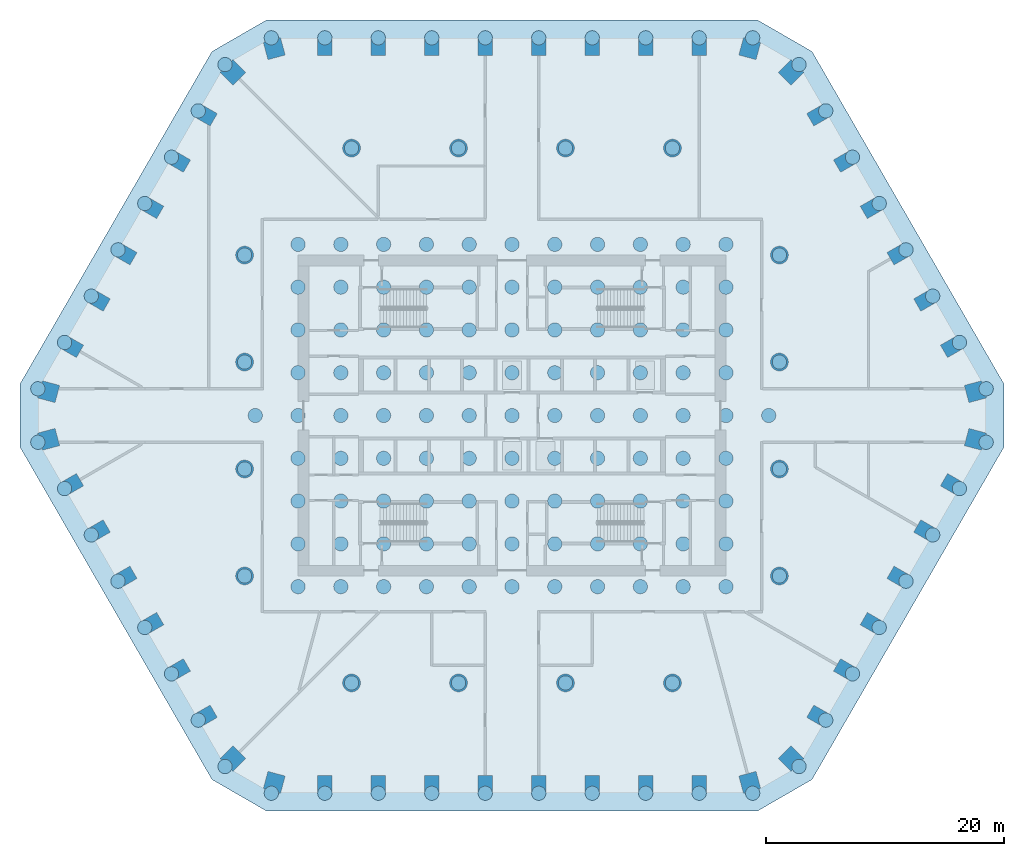
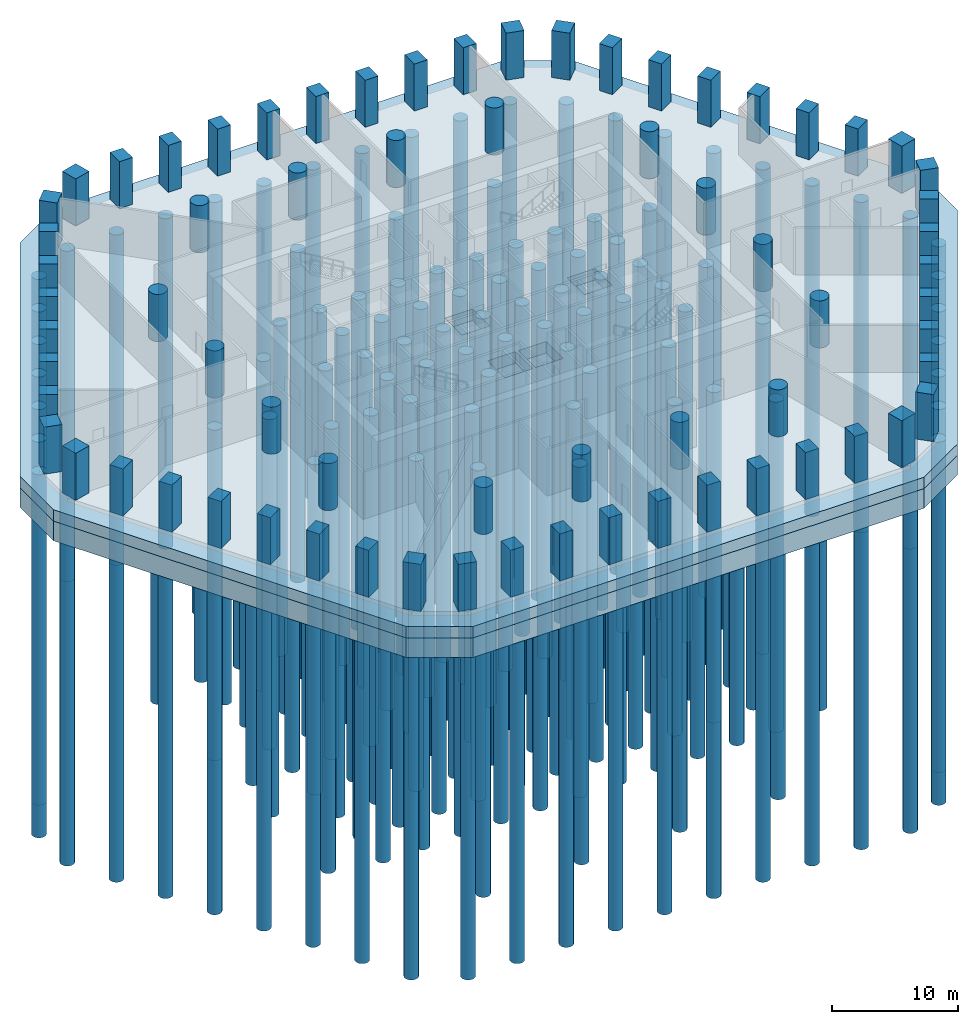
# One storey, part 1 of 9: 169 piles, 68 columns, 2 footings.
"""IFC4 building model written with IfcOpenShell, lengths in metres."""

from ifc_helpers import new_model, si_unit, direction, frame, origin, origin_2d, place, context, subcontext, project, spatial, polyline, rectangle, circle, outline, extrude, material, layer, layer_set, material_profile, profile_set, type_object, element, save


model = new_model("IFC4")

# Units and contexts
model_context = context("Model", 3, precision=1e-05, world=origin(), true_north=direction((0.0, 1.0)))
body_context = subcontext(model_context, "Body", "Model", "MODEL_VIEW")
ifc_project = project(units=[si_unit("LENGTHUNIT", "METRE"), si_unit("AREAUNIT", "SQUARE_METRE"), si_unit("VOLUMEUNIT", "CUBIC_METRE"), si_unit("PLANEANGLEUNIT", "RADIAN"), si_unit("MASSUNIT", "GRAM", prefix="KILO")], contexts=[model_context])

# Site, building, storey
site_placement = place(None, origin())
site = spatial("IfcSite", under=ifc_project, at=site_placement, CompositionType="ELEMENT")
building_placement = place(site_placement, origin())
building = spatial("IfcBuilding", under=site, at=building_placement, Name="Dhurran Vertical Campus", CompositionType="ELEMENT")
storey_placement = place(building_placement, frame((0.0, 0.0, -5.0)))
storey = spatial("IfcBuildingStorey", under=building, at=storey_placement, Name="B1", CompositionType="ELEMENT", Elevation=-5.0)

# Piles
ifc_material_1 = material(Name="Concrete C50/60", Category="concrete")
ifc_material_profile_1 = material_profile(ifc_material_1, circle(Radius=0.60009765625, at=origin_2d()), Name="fd/pile/D1200")
ifc_profile_set_1 = profile_set([ifc_material_profile_1], Name="Concrete C50/60")
pile_type = type_object("IfcPileType", Name="fd/pile/D1200", PredefinedType="BORED", material=ifc_profile_set_1)
for number, where, z_axis, x_axis, name in (
    (1, (-39.89697265625, -2.25, -3.25), (0.0, 0.0, -1.0), (1.0, 0.0, 0.0), "Bored pile PL1-001"),
    (2, (-39.89697265625, 2.25, -3.25), (0.0, 0.0, -1.0), (1.0, 0.0, 0.0), "Bored pile PL1-002"),
    (3, (-37.64697265625, -6.14697265625, -3.25), (0.0, 0.0, -1.0), (1.0, 0.0, 0.0), "Bored pile PL1-003"),
    (4, (-37.64697265625, 6.14697265625, -3.25), (0.0, 0.0, -1.0), (1.0, 0.0, 0.0), "Bored pile PL1-004"),
    (5, (-35.39697265625, -10.0439453125, -3.25), (0.0, 0.0, -1.0), (1.0, 0.0, 0.0), "Bored pile PL1-005"),
    (6, (-35.39697265625, 10.0439453125, -3.25), (0.0, 0.0, -1.0), (1.0, 0.0, 0.0), "Bored pile PL1-006"),
    (7, (-33.14697265625, -13.94091796875, -3.25), (0.0, 0.0, -1.0), (1.0, 0.0, 0.0), "Bored pile PL1-007"),
    (8, (-33.14697265625, 13.94091796875, -3.25), (0.0, 0.0, -1.0), (1.0, 0.0, 0.0), "Bored pile PL1-008"),
    (9, (-30.89697265625, -17.837890625, -3.25), (0.0, 0.0, -1.0), (1.0, 0.0, 0.0), "Bored pile PL1-009"),
    (10, (-30.89697265625, 17.837890625, -3.25), (0.0, 0.0, -1.0), (1.0, 0.0, 0.0), "Bored pile PL1-010"),
    (11, (-28.64697265625, -21.736083984375, -3.25), (0.0, 0.0, -1.0), (1.0, 0.0, 0.0), "Bored pile PL1-011"),
    (12, (-28.64697265625, 21.736083984375, -3.25), (0.0, 0.0, -1.0), (1.0, 0.0, 0.0), "Bored pile PL1-012"),
    (13, (-26.39697265625, -25.633056640625, -3.25), (0.0, 0.0, -1.0), (1.0, 0.0, 0.0), "Bored pile PL1-013"),
    (14, (-26.39697265625, 25.633056640625, -3.25), (0.0, 0.0, -1.0), (1.0, 0.0, 0.0), "Bored pile PL1-014"),
    (15, (-24.14697265625, -29.530029296875, -3.25), (0.0, 0.0, -1.0), (1.0, 0.0, 0.0), "Bored pile PL1-015"),
    (16, (-24.14697265625, 29.530029296875, -3.25), (0.0, 0.0, -1.0), (1.0, 0.0, 0.0), "Bored pile PL1-016"),
    (17, (-22.5, -13.5, -3.25), (0.0, 0.0, -1.0), (1.0, 0.0, 0.0), "Bored pile PL1-017"),
    (18, (-22.5, -4.5, -3.25), (0.0, 0.0, -1.0), (1.0, 0.0, 0.0), "Bored pile PL1-018"),
    (19, (-22.5, 4.5, -3.25), (0.0, 0.0, -1.0), (1.0, 0.0, 0.0), "Bored pile PL1-019"),
    (20, (-22.5, 13.5, -3.25), (0.0, 0.0, -1.0), (1.0, 0.0, 0.0), "Bored pile PL1-020"),
    (21, (-21.60009765625, 0.0, -3.25), (0.0, 0.0, -1.0), (1.0, 0.0, 0.0), "Bored pile PL1-021"),
    (22, (-20.25, -31.780029296875, -3.25), (0.0, 0.0, -1.0), (1.0, 0.0, 0.0), "Bored pile PL1-022"),
    (23, (-20.25, 31.780029296875, -3.25), (0.0, 0.0, -1.0), (1.0, 0.0, 0.0), "Bored pile PL1-023"),
    (24, (-18.0, -14.39990234375, -3.25), (0.0, 0.0, -1.0), (1.0, 0.0, 0.0), "Bored pile PL1-024"),
    (25, (-18.0, -10.800048828125, -3.25), (0.0, 0.0, -1.0), (1.0, 0.0, 0.0), "Bored pile PL1-025"),
    (26, (-18.0, -7.199951171875, -3.25), (0.0, 0.0, -1.0), (1.0, 0.0, 0.0), "Bored pile PL1-026"),
    (27, (-18.0, -3.60009765625, -3.25), (0.0, 0.0, -1.0), (1.0, 0.0, 0.0), "Bored pile PL1-027"),
    (28, (-18.0, 0.0, -3.25), (0.0, 0.0, -1.0), (1.0, 0.0, 0.0), "Bored pile PL1-028"),
    (29, (-18.0, 3.60009765625, -3.25), (0.0, 0.0, -1.0), (1.0, 0.0, 0.0), "Bored pile PL1-029"),
    (30, (-18.0, 7.199951171875, -3.25), (0.0, 0.0, -1.0), (1.0, 0.0, 0.0), "Bored pile PL1-030"),
    (31, (-18.0, 10.800048828125, -3.25), (0.0, 0.0, -1.0), (1.0, 0.0, 0.0), "Bored pile PL1-031"),
    (32, (-18.0, 14.39990234375, -3.25), (0.0, 0.0, -1.0), (1.0, 0.0, 0.0), "Bored pile PL1-032"),
    (33, (-15.75, -31.780029296875, -3.25), (0.0, 0.0, -1.0), (1.0, 0.0, 0.0), "Bored pile PL1-033"),
    (34, (-15.75, 31.780029296875, -3.25), (0.0, 0.0, -1.0), (1.0, 0.0, 0.0), "Bored pile PL1-034"),
    (35, (-14.39990234375, -14.39990234375, -3.25), (0.0, 0.0, -1.0), (1.0, 0.0, 0.0), "Bored pile PL1-035"),
    (36, (-14.39990234375, -10.800048828125, -3.25), (0.0, 0.0, -1.0), (1.0, 0.0, 0.0), "Bored pile PL1-036"),
    (37, (-14.39990234375, -7.199951171875, -3.25), (0.0, 0.0, -1.0), (1.0, 0.0, 0.0), "Bored pile PL1-037"),
    (38, (-14.39990234375, -3.60009765625, -3.25), (0.0, 0.0, -1.0), (1.0, 0.0, 0.0), "Bored pile PL1-038"),
    (39, (-14.39990234375, 0.0, -3.25), (0.0, 0.0, -1.0), (1.0, 0.0, 0.0), "Bored pile PL1-039"),
    (40, (-14.39990234375, 3.60009765625, -3.25), (0.0, 0.0, -1.0), (1.0, 0.0, 0.0), "Bored pile PL1-040"),
    (41, (-14.39990234375, 7.199951171875, -3.25), (0.0, 0.0, -1.0), (1.0, 0.0, 0.0), "Bored pile PL1-041"),
    (42, (-14.39990234375, 10.800048828125, -3.25), (0.0, 0.0, -1.0), (1.0, 0.0, 0.0), "Bored pile PL1-042"),
    (43, (-14.39990234375, 14.39990234375, -3.25), (0.0, 0.0, -1.0), (1.0, 0.0, 0.0), "Bored pile PL1-043"),
    (44, (-13.5, -22.5, -3.25), (0.0, 0.0, -1.0), (1.0, 0.0, 0.0), "Bored pile PL1-044"),
    (45, (-13.5, 22.5, -3.25), (0.0, 0.0, -1.0), (1.0, 0.0, 0.0), "Bored pile PL1-045"),
    (46, (-11.25, -31.780029296875, -3.25), (0.0, 0.0, -1.0), (1.0, 0.0, 0.0), "Bored pile PL1-046"),
    (47, (-11.25, 31.780029296875, -3.25), (0.0, 0.0, -1.0), (1.0, 0.0, 0.0), "Bored pile PL1-047"),
    (48, (-10.800048828125, -14.39990234375, -3.25), (0.0, 0.0, -1.0), (1.0, 0.0, 0.0), "Bored pile PL1-048"),
    (49, (-10.800048828125, -10.800048828125, -3.25), (0.0, 0.0, -1.0), (1.0, 0.0, 0.0), "Bored pile PL1-049"),
    (50, (-10.800048828125, -7.199951171875, -3.25), (0.0, 0.0, -1.0), (1.0, 0.0, 0.0), "Bored pile PL1-050"),
    (51, (-10.800048828125, -3.60009765625, -3.25), (0.0, 0.0, -1.0), (1.0, 0.0, 0.0), "Bored pile PL1-051"),
    (52, (-10.800048828125, 0.0, -3.25), (0.0, 0.0, -1.0), (1.0, 0.0, 0.0), "Bored pile PL1-052"),
    (53, (-10.800048828125, 3.60009765625, -3.25), (0.0, 0.0, -1.0), (1.0, 0.0, 0.0), "Bored pile PL1-053"),
    (54, (-10.800048828125, 7.199951171875, -3.25), (0.0, 0.0, -1.0), (1.0, 0.0, 0.0), "Bored pile PL1-054"),
    (55, (-10.800048828125, 10.800048828125, -3.25), (0.0, 0.0, -1.0), (1.0, 0.0, 0.0), "Bored pile PL1-055"),
    (56, (-10.800048828125, 14.39990234375, -3.25), (0.0, 0.0, -1.0), (1.0, 0.0, 0.0), "Bored pile PL1-056"),
    (57, (-7.199951171875, -14.39990234375, -3.25), (0.0, 0.0, -1.0), (1.0, 0.0, 0.0), "Bored pile PL1-057"),
    (58, (-7.199951171875, -10.800048828125, -3.25), (0.0, 0.0, -1.0), (1.0, 0.0, 0.0), "Bored pile PL1-058"),
    (59, (-7.199951171875, -7.199951171875, -3.25), (0.0, 0.0, -1.0), (1.0, 0.0, 0.0), "Bored pile PL1-059"),
    (60, (-7.199951171875, -3.60009765625, -3.25), (0.0, 0.0, -1.0), (1.0, 0.0, 0.0), "Bored pile PL1-060"),
    (61, (-7.199951171875, 0.0, -3.25), (0.0, 0.0, -1.0), (1.0, 0.0, 0.0), "Bored pile PL1-061"),
    (62, (-7.199951171875, 3.60009765625, -3.25), (0.0, 0.0, -1.0), (1.0, 0.0, 0.0), "Bored pile PL1-062"),
    (63, (-7.199951171875, 7.199951171875, -3.25), (0.0, 0.0, -1.0), (1.0, 0.0, 0.0), "Bored pile PL1-063"),
    (64, (-7.199951171875, 10.800048828125, -3.25), (0.0, 0.0, -1.0), (1.0, 0.0, 0.0), "Bored pile PL1-064"),
    (65, (-7.199951171875, 14.39990234375, -3.25), (0.0, 0.0, -1.0), (1.0, 0.0, 0.0), "Bored pile PL1-065"),
    (66, (-6.75, -31.780029296875, -3.25), (0.0, 0.0, -1.0), (1.0, 0.0, 0.0), "Bored pile PL1-066"),
    (67, (-6.75, 31.780029296875, -3.25), (0.0, 0.0, -1.0), (1.0, 0.0, 0.0), "Bored pile PL1-067"),
    (68, (-4.5, -22.5, -3.25), (0.0, 0.0, -1.0), (1.0, 0.0, 0.0), "Bored pile PL1-068"),
    (69, (-4.5, 22.5, -3.25), (0.0, 0.0, -1.0), (1.0, 0.0, 0.0), "Bored pile PL1-069"),
    (70, (-3.60009765625, -14.39990234375, -3.25), (0.0, 0.0, -1.0), (1.0, 0.0, 0.0), "Bored pile PL1-070"),
    (71, (-3.60009765625, -10.800048828125, -3.25), (0.0, 0.0, -1.0), (1.0, 0.0, 0.0), "Bored pile PL1-071"),
    (72, (-3.60009765625, -7.199951171875, -3.25), (0.0, 0.0, -1.0), (1.0, 0.0, 0.0), "Bored pile PL1-072"),
    (73, (-3.60009765625, -3.60009765625, -3.25), (0.0, 0.0, -1.0), (1.0, 0.0, 0.0), "Bored pile PL1-073"),
    (74, (-3.60009765625, 0.0, -3.25), (0.0, 0.0, -1.0), (1.0, 0.0, 0.0), "Bored pile PL1-074"),
    (75, (-3.60009765625, 3.60009765625, -3.25), (0.0, 0.0, -1.0), (1.0, 0.0, 0.0), "Bored pile PL1-075"),
    (76, (-3.60009765625, 7.199951171875, -3.25), (0.0, 0.0, -1.0), (1.0, 0.0, 0.0), "Bored pile PL1-076"),
    (77, (-3.60009765625, 10.800048828125, -3.25), (0.0, 0.0, -1.0), (1.0, 0.0, 0.0), "Bored pile PL1-077"),
    (78, (-3.60009765625, 14.39990234375, -3.25), (0.0, 0.0, -1.0), (1.0, 0.0, 0.0), "Bored pile PL1-078"),
    (79, (-2.25, -31.780029296875, -3.25), (0.0, 0.0, -1.0), (1.0, 0.0, 0.0), "Bored pile PL1-079"),
    (80, (-2.25, 31.780029296875, -3.25), (0.0, 0.0, -1.0), (1.0, 0.0, 0.0), "Bored pile PL1-080"),
    (81, (0.0, -14.39990234375, -3.25), (0.0, 0.0, -1.0), (1.0, 0.0, 0.0), "Bored pile PL1-081"),
    (82, (0.0, -10.800048828125, -3.25), (0.0, 0.0, -1.0), (1.0, 0.0, 0.0), "Bored pile PL1-082"),
    (83, (0.0, -7.199951171875, -3.25), (0.0, 0.0, -1.0), (1.0, 0.0, 0.0), "Bored pile PL1-083"),
    (84, (0.0, -3.60009765625, -3.25), (0.0, 0.0, -1.0), (1.0, 0.0, 0.0), "Bored pile PL1-084"),
    (85, (0.0, 0.0, -3.25), (0.0, 0.0, -1.0), (1.0, 0.0, 0.0), "Bored pile PL1-085"),
    (86, (0.0, 3.60009765625, -3.25), (0.0, 0.0, -1.0), (1.0, 0.0, 0.0), "Bored pile PL1-086"),
    (87, (0.0, 7.199951171875, -3.25), (0.0, 0.0, -1.0), (1.0, 0.0, 0.0), "Bored pile PL1-087"),
    (88, (0.0, 10.800048828125, -3.25), (0.0, 0.0, -1.0), (1.0, 0.0, 0.0), "Bored pile PL1-088"),
    (89, (0.0, 14.39990234375, -3.25), (0.0, 0.0, -1.0), (1.0, 0.0, 0.0), "Bored pile PL1-089"),
    (90, (2.25, -31.780029296875, -3.25), (0.0, 0.0, -1.0), (1.0, 0.0, 0.0), "Bored pile PL1-090"),
    (91, (2.25, 31.780029296875, -3.25), (0.0, 0.0, -1.0), (1.0, 0.0, 0.0), "Bored pile PL1-091"),
    (92, (3.60009765625, -14.39990234375, -3.25), (0.0, 0.0, -1.0), (1.0, 0.0, 0.0), "Bored pile PL1-092"),
    (93, (3.60009765625, -10.800048828125, -3.25), (0.0, 0.0, -1.0), (1.0, 0.0, 0.0), "Bored pile PL1-093"),
    (94, (3.60009765625, -7.199951171875, -3.25), (0.0, 0.0, -1.0), (1.0, 0.0, 0.0), "Bored pile PL1-094"),
    (95, (3.60009765625, -3.60009765625, -3.25), (0.0, 0.0, -1.0), (1.0, 0.0, 0.0), "Bored pile PL1-095"),
    (96, (3.60009765625, 0.0, -3.25), (0.0, 0.0, -1.0), (1.0, 0.0, 0.0), "Bored pile PL1-096"),
    (97, (3.60009765625, 3.60009765625, -3.25), (0.0, 0.0, -1.0), (1.0, 0.0, 0.0), "Bored pile PL1-097"),
    (98, (3.60009765625, 7.199951171875, -3.25), (0.0, 0.0, -1.0), (1.0, 0.0, 0.0), "Bored pile PL1-098"),
    (99, (3.60009765625, 10.800048828125, -3.25), (0.0, 0.0, -1.0), (1.0, 0.0, 0.0), "Bored pile PL1-099"),
    (100, (3.60009765625, 14.39990234375, -3.25), (0.0, 0.0, -1.0), (1.0, 0.0, 0.0), "Bored pile PL1-100"),
    (101, (4.5, -22.5, -3.25), (0.0, 0.0, -1.0), (1.0, 0.0, 0.0), "Bored pile PL1-101"),
    (102, (4.5, 22.5, -3.25), (0.0, 0.0, -1.0), (1.0, 0.0, 0.0), "Bored pile PL1-102"),
    (103, (6.75, -31.780029296875, -3.25), (0.0, 0.0, -1.0), (1.0, 0.0, 0.0), "Bored pile PL1-103"),
    (104, (6.75, 31.780029296875, -3.25), (0.0, 0.0, -1.0), (1.0, 0.0, 0.0), "Bored pile PL1-104"),
    (105, (7.199951171875, -14.39990234375, -3.25), (0.0, 0.0, -1.0), (1.0, 0.0, 0.0), "Bored pile PL1-105"),
    (106, (7.199951171875, -10.800048828125, -3.25), (0.0, 0.0, -1.0), (1.0, 0.0, 0.0), "Bored pile PL1-106"),
    (107, (7.199951171875, -7.199951171875, -3.25), (0.0, 0.0, -1.0), (1.0, 0.0, 0.0), "Bored pile PL1-107"),
    (108, (7.199951171875, -3.60009765625, -3.25), (0.0, 0.0, -1.0), (1.0, 0.0, 0.0), "Bored pile PL1-108"),
    (109, (7.199951171875, 0.0, -3.25), (0.0, 0.0, -1.0), (1.0, 0.0, 0.0), "Bored pile PL1-109"),
    (110, (7.199951171875, 3.60009765625, -3.25), (0.0, 0.0, -1.0), (1.0, 0.0, 0.0), "Bored pile PL1-110"),
    (111, (7.199951171875, 7.199951171875, -3.25), (0.0, 0.0, -1.0), (1.0, 0.0, 0.0), "Bored pile PL1-111"),
    (112, (7.199951171875, 10.800048828125, -3.25), (0.0, 0.0, -1.0), (1.0, 0.0, 0.0), "Bored pile PL1-112"),
    (113, (7.199951171875, 14.39990234375, -3.25), (0.0, 0.0, -1.0), (1.0, 0.0, 0.0), "Bored pile PL1-113"),
    (114, (10.800048828125, -14.39990234375, -3.25), (0.0, 0.0, -1.0), (1.0, 0.0, 0.0), "Bored pile PL1-114"),
    (115, (10.800048828125, -10.800048828125, -3.25), (0.0, 0.0, -1.0), (1.0, 0.0, 0.0), "Bored pile PL1-115"),
    (116, (10.800048828125, -7.199951171875, -3.25), (0.0, 0.0, -1.0), (1.0, 0.0, 0.0), "Bored pile PL1-116"),
    (117, (10.800048828125, -3.60009765625, -3.25), (0.0, 0.0, -1.0), (1.0, 0.0, 0.0), "Bored pile PL1-117"),
    (118, (10.800048828125, 0.0, -3.25), (0.0, 0.0, -1.0), (1.0, 0.0, 0.0), "Bored pile PL1-118"),
    (119, (10.800048828125, 3.60009765625, -3.25), (0.0, 0.0, -1.0), (1.0, 0.0, 0.0), "Bored pile PL1-119"),
    (120, (10.800048828125, 7.199951171875, -3.25), (0.0, 0.0, -1.0), (1.0, 0.0, 0.0), "Bored pile PL1-120"),
    (121, (10.800048828125, 10.800048828125, -3.25), (0.0, 0.0, -1.0), (1.0, 0.0, 0.0), "Bored pile PL1-121"),
    (122, (10.800048828125, 14.39990234375, -3.25), (0.0, 0.0, -1.0), (1.0, 0.0, 0.0), "Bored pile PL1-122"),
    (123, (11.25, -31.780029296875, -3.25), (0.0, 0.0, -1.0), (1.0, 0.0, 0.0), "Bored pile PL1-123"),
    (124, (11.25, 31.780029296875, -3.25), (0.0, 0.0, -1.0), (1.0, 0.0, 0.0), "Bored pile PL1-124"),
    (125, (13.5, -22.5, -3.25), (0.0, 0.0, -1.0), (1.0, 0.0, 0.0), "Bored pile PL1-125"),
    (126, (13.5, 22.5, -3.25), (0.0, 0.0, -1.0), (1.0, 0.0, 0.0), "Bored pile PL1-126"),
    (127, (14.39990234375, -14.39990234375, -3.25), (0.0, 0.0, -1.0), (1.0, 0.0, 0.0), "Bored pile PL1-127"),
    (128, (14.39990234375, -10.800048828125, -3.25), (0.0, 0.0, -1.0), (1.0, 0.0, 0.0), "Bored pile PL1-128"),
    (129, (14.39990234375, -7.199951171875, -3.25), (0.0, 0.0, -1.0), (1.0, 0.0, 0.0), "Bored pile PL1-129"),
    (130, (14.39990234375, -3.60009765625, -3.25), (0.0, 0.0, -1.0), (1.0, 0.0, 0.0), "Bored pile PL1-130"),
    (131, (14.39990234375, 0.0, -3.25), (0.0, 0.0, -1.0), (1.0, 0.0, 0.0), "Bored pile PL1-131"),
    (132, (14.39990234375, 3.60009765625, -3.25), (0.0, 0.0, -1.0), (1.0, 0.0, 0.0), "Bored pile PL1-132"),
    (133, (14.39990234375, 7.199951171875, -3.25), (0.0, 0.0, -1.0), (1.0, 0.0, 0.0), "Bored pile PL1-133"),
    (134, (14.39990234375, 10.800048828125, -3.25), (0.0, 0.0, -1.0), (1.0, 0.0, 0.0), "Bored pile PL1-134"),
    (135, (14.39990234375, 14.39990234375, -3.25), (0.0, 0.0, -1.0), (1.0, 0.0, 0.0), "Bored pile PL1-135"),
    (136, (15.75, -31.780029296875, -3.25), (0.0, 0.0, -1.0), (1.0, 0.0, 0.0), "Bored pile PL1-136"),
    (137, (15.75, 31.780029296875, -3.25), (0.0, 0.0, -1.0), (1.0, 0.0, 0.0), "Bored pile PL1-137"),
    (138, (18.0, -14.39990234375, -3.25), (0.0, 0.0, -1.0), (1.0, 0.0, 0.0), "Bored pile PL1-138"),
    (139, (18.0, -10.800048828125, -3.25), (0.0, 0.0, -1.0), (1.0, 0.0, 0.0), "Bored pile PL1-139"),
    (140, (18.0, -7.199951171875, -3.25), (0.0, 0.0, -1.0), (1.0, 0.0, 0.0), "Bored pile PL1-140"),
    (141, (18.0, -3.60009765625, -3.25), (0.0, 0.0, -1.0), (1.0, 0.0, 0.0), "Bored pile PL1-141"),
    (142, (18.0, 0.0, -3.25), (0.0, 0.0, -1.0), (1.0, 0.0, 0.0), "Bored pile PL1-142"),
    (143, (18.0, 3.60009765625, -3.25), (0.0, 0.0, -1.0), (1.0, 0.0, 0.0), "Bored pile PL1-143"),
    (144, (18.0, 7.199951171875, -3.25), (0.0, 0.0, -1.0), (1.0, 0.0, 0.0), "Bored pile PL1-144"),
    (145, (18.0, 10.800048828125, -3.25), (0.0, 0.0, -1.0), (1.0, 0.0, 0.0), "Bored pile PL1-145"),
    (146, (18.0, 14.39990234375, -3.25), (0.0, 0.0, -1.0), (1.0, 0.0, 0.0), "Bored pile PL1-146"),
    (147, (20.25, -31.780029296875, -3.25), (0.0, 0.0, -1.0), (1.0, 0.0, 0.0), "Bored pile PL1-147"),
    (148, (20.25, 31.780029296875, -3.25), (0.0, 0.0, -1.0), (1.0, 0.0, 0.0), "Bored pile PL1-148"),
    (149, (21.60009765625, 0.0, -3.25), (0.0, 0.0, -1.0), (1.0, 0.0, 0.0), "Bored pile PL1-149"),
    (150, (22.5, -13.5, -3.25), (0.0, 0.0, -1.0), (1.0, 0.0, 0.0), "Bored pile PL1-150"),
    (151, (22.5, -4.5, -3.25), (0.0, 0.0, -1.0), (1.0, 0.0, 0.0), "Bored pile PL1-151"),
    (152, (22.5, 4.5, -3.25), (0.0, 0.0, -1.0), (1.0, 0.0, 0.0), "Bored pile PL1-152"),
    (153, (22.5, 13.5, -3.25), (0.0, 0.0, -1.0), (1.0, 0.0, 0.0), "Bored pile PL1-153"),
    (154, (24.14697265625, -29.530029296875, -3.25), (0.0, 0.0, -1.0), (1.0, 0.0, 0.0), "Bored pile PL1-154"),
    (155, (24.14697265625, 29.530029296875, -3.25), (0.0, 0.0, -1.0), (1.0, 0.0, 0.0), "Bored pile PL1-155"),
    (156, (26.39697265625, -25.633056640625, -3.25), (0.0, 0.0, -1.0), (1.0, 0.0, 0.0), "Bored pile PL1-156"),
    (157, (26.39697265625, 25.633056640625, -3.25), (0.0, 0.0, -1.0), (1.0, 0.0, 0.0), "Bored pile PL1-157"),
    (158, (28.64697265625, -21.736083984375, -3.25), (0.0, 0.0, -1.0), (1.0, 0.0, 0.0), "Bored pile PL1-158"),
    (159, (28.64697265625, 21.736083984375, -3.25), (0.0, 0.0, -1.0), (1.0, 0.0, 0.0), "Bored pile PL1-159"),
    (160, (30.89697265625, -17.837890625, -3.25), (0.0, 0.0, -1.0), (1.0, 0.0, 0.0), "Bored pile PL1-160"),
    (161, (30.89697265625, 17.837890625, -3.25), (0.0, 0.0, -1.0), (1.0, 0.0, 0.0), "Bored pile PL1-161"),
    (162, (33.14697265625, -13.94091796875, -3.25), (0.0, 0.0, -1.0), (1.0, 0.0, 0.0), "Bored pile PL1-162"),
    (163, (33.14697265625, 13.94091796875, -3.25), (0.0, 0.0, -1.0), (1.0, 0.0, 0.0), "Bored pile PL1-163"),
    (164, (35.39697265625, -10.0439453125, -3.25), (0.0, 0.0, -1.0), (1.0, 0.0, 0.0), "Bored pile PL1-164"),
    (165, (35.39697265625, 10.0439453125, -3.25), (0.0, 0.0, -1.0), (1.0, 0.0, 0.0), "Bored pile PL1-165"),
    (166, (37.64697265625, -6.14697265625, -3.25), (0.0, 0.0, -1.0), (1.0, 0.0, 0.0), "Bored pile PL1-166"),
    (167, (37.64697265625, 6.14697265625, -3.25), (0.0, 0.0, -1.0), (1.0, 0.0, 0.0), "Bored pile PL1-167"),
    (168, (39.89697265625, -2.25, -3.25), (0.0, 0.0, -1.0), (1.0, 0.0, 0.0), "Bored pile PL1-168"),
    (169, (39.89697265625, 2.25, -3.25), (0.0, 0.0, -1.0), (1.0, 0.0, 0.0), "Bored pile PL1-169"),
):
    element("IfcPile", number, at=place(storey_placement, frame(where, z_axis=z_axis, x_axis=x_axis)), inside=storey, type_object=pile_type, Name=name, PredefinedType="BORED", context=body_context, shape_type="SweptSolid", body=[
        extrude(circle(Radius=0.60009765625, at=origin_2d()), origin(), (0.0, 0.0, 1.0), 32.0),
    ])

# Footings
ifc_material_2 = material(Name="Concrete C50/60", Category="concrete")
ifc_layer_1 = layer(ifc_material_2, 1.89990234375)
ifc_layer_set_1 = layer_set([ifc_layer_1], Name="Concrete C50/60")
footing_type_1 = type_object("IfcFootingType", Name="fd/raft/lower", PredefinedType="USERDEFINED", material=ifc_layer_set_1)
footing_1_placement = place(storey_placement, frame((0.0, 0.0, -3.39990234375)))
element("IfcFooting", 170, at=footing_1_placement, inside=storey, type_object=footing_type_1, Name="Tower raft RF1 lower course", ObjectType="PILED RAFT", PredefinedType="USERDEFINED", context=body_context, shape_type="SweptSolid", body=[
    extrude(outline(polyline([(-20.652099609375, -33.280029296875), (20.652099609375, -33.280029296875), (25.2451171875, -30.6279296875), (41.39697265625, -2.652099609375), (41.39697265625, 2.652099609375), (25.2451171875, 30.6279296875), (20.652099609375, 33.280029296875), (-20.652099609375, 33.280029296875), (-25.2451171875, 30.6279296875), (-41.39697265625, 2.652099609375), (-41.39697265625, -2.652099609375), (-25.2451171875, -30.6279296875), (-20.652099609375, -33.280029296875)])), origin(), (0.0, 0.0, 1.0), 1.89990234375),
])
ifc_material_3 = material(Name="Concrete C50/60", Category="concrete")
ifc_layer_2 = layer(ifc_material_3, 1.10009765625)
ifc_layer_set_2 = layer_set([ifc_layer_2], Name="Concrete C50/60")
footing_type_2 = type_object("IfcFootingType", Name="fd/raft/upper", PredefinedType="USERDEFINED", material=ifc_layer_set_2)
footing_2_placement = place(storey_placement, frame((0.0, 0.0, -1.5)))
element("IfcFooting", 171, at=footing_2_placement, inside=storey, type_object=footing_type_2, Name="Tower raft RF3 upper course", ObjectType="PILED RAFT", PredefinedType="USERDEFINED", context=body_context, shape_type="SweptSolid", body=[
    extrude(outline(polyline([(-20.652099609375, -33.280029296875), (20.652099609375, -33.280029296875), (25.2451171875, -30.6279296875), (41.39697265625, -2.652099609375), (41.39697265625, 2.652099609375), (25.2451171875, 30.6279296875), (20.652099609375, 33.280029296875), (-20.652099609375, 33.280029296875), (-25.2451171875, 30.6279296875), (-41.39697265625, 2.652099609375), (-41.39697265625, -2.652099609375), (-25.2451171875, -30.6279296875), (-20.652099609375, -33.280029296875)]), holes=[polyline([(-1.27490234375, -4.75), (1.27490234375, -4.75), (1.27490234375, -2.050048828125), (-1.27490234375, -2.050048828125), (-1.27490234375, -4.75)]), polyline([(-1.27490234375, 2.050048828125), (1.27490234375, 2.050048828125), (1.27490234375, 4.75), (-1.27490234375, 4.75), (-1.27490234375, 2.050048828125)]), polyline([(1.52490234375, -4.75), (4.074951171875, -4.75), (4.074951171875, -2.050048828125), (1.52490234375, -2.050048828125), (1.52490234375, -4.75)]), polyline([(9.925048828125, 2.050048828125), (12.47509765625, 2.050048828125), (12.47509765625, 4.75), (9.925048828125, 4.75), (9.925048828125, 2.050048828125)])]), origin(), (0.0, 0.0, 1.0), 1.10009765625),
])

# Columns
ifc_material_4 = material(Name="Concrete C70/85", Category="concrete")
ifc_material_profile_2 = material_profile(ifc_material_4, rectangle(XDim=1.199951171875, YDim=1.5, at=origin_2d()), Name="RC 1200x1500")
ifc_profile_set_2 = profile_set([ifc_material_profile_2], Name="Concrete C70/85")
column_type_1 = type_object("IfcColumnType", Name="FR COL RC 1200x1500 C70/85", PredefinedType="COLUMN", material=ifc_profile_set_2)
for number, where, z_axis, x_axis, name in (
    (172, (-15.75, -31.02978515625, 0.0), (0.0, 0.0, 1.0), (1.0, 0.0, 0.0), "Perimeter pier PP0.01"),
    (173, (-11.25, -31.02978515625, 0.0), (0.0, 0.0, 1.0), (1.0, 0.0, 0.0), "Perimeter pier PP0.02"),
    (174, (-6.75, -31.02978515625, 0.0), (0.0, 0.0, 1.0), (1.0, 0.0, 0.0), "Perimeter pier PP0.03"),
    (175, (-2.25, -31.02978515625, 0.0), (0.0, 0.0, 1.0), (1.0, 0.0, 0.0), "Perimeter pier PP0.04"),
    (176, (2.25, -31.02978515625, 0.0), (0.0, 0.0, 1.0), (1.0, 0.0, 0.0), "Perimeter pier PP0.05"),
    (177, (6.75, -31.02978515625, 0.0), (0.0, 0.0, 1.0), (1.0, 0.0, 0.0), "Perimeter pier PP0.06"),
    (178, (11.25, -31.02978515625, 0.0), (0.0, 0.0, 1.0), (1.0, 0.0, 0.0), "Perimeter pier PP0.07"),
    (179, (15.75, -31.02978515625, 0.0), (0.0, 0.0, 1.0), (1.0, 0.0, 0.0), "Perimeter pier PP0.08"),
    (180, (25.74755859375, -25.2578125, 0.0), (0.0, 0.0, 1.0), (0.5, 0.866025403784, 0.0), "Perimeter pier PP0.11"),
    (181, (27.99755859375, -21.360595703125, 0.0), (0.0, 0.0, 1.0), (0.5, 0.866025403784, 0.0), "Perimeter pier PP0.12"),
    (182, (30.24755859375, -17.46337890625, 0.0), (0.0, 0.0, 1.0), (0.5, 0.866025403784, 0.0), "Perimeter pier PP0.13"),
    (183, (32.49755859375, -13.56640625, 0.0), (0.0, 0.0, 1.0), (0.5, 0.866025403784, 0.0), "Perimeter pier PP0.14"),
    (184, (34.74755859375, -9.669189453125, 0.0), (0.0, 0.0, 1.0), (0.5, 0.866025403784, 0.0), "Perimeter pier PP0.15"),
    (185, (36.99755859375, -5.772216796875, 0.0), (0.0, 0.0, 1.0), (0.5, 0.866025403784, 0.0), "Perimeter pier PP0.16"),
    (186, (36.99755859375, 5.772216796875, 0.0), (0.0, 0.0, 1.0), (-0.5, 0.866025403784, 0.0), "Perimeter pier PP0.19"),
    (187, (34.74755859375, 9.669189453125, 0.0), (0.0, 0.0, 1.0), (-0.5, 0.866025403784, 0.0), "Perimeter pier PP0.20"),
    (188, (32.49755859375, 13.56640625, 0.0), (0.0, 0.0, 1.0), (-0.5, 0.866025403784, 0.0), "Perimeter pier PP0.21"),
    (189, (30.24755859375, 17.46337890625, 0.0), (0.0, 0.0, 1.0), (-0.5, 0.866025403784, 0.0), "Perimeter pier PP0.22"),
    (190, (27.99755859375, 21.360595703125, 0.0), (0.0, 0.0, 1.0), (-0.5, 0.866025403784, 0.0), "Perimeter pier PP0.23"),
    (191, (25.74755859375, 25.2578125, 0.0), (0.0, 0.0, 1.0), (-0.5, 0.866025403784, 0.0), "Perimeter pier PP0.24"),
    (192, (15.75, 31.02978515625, 0.0), (0.0, 0.0, 1.0), (-1.0, 0.0, 0.0), "Perimeter pier PP0.27"),
    (193, (11.25, 31.02978515625, 0.0), (0.0, 0.0, 1.0), (-1.0, 0.0, 0.0), "Perimeter pier PP0.28"),
    (194, (6.75, 31.02978515625, 0.0), (0.0, 0.0, 1.0), (-1.0, 0.0, 0.0), "Perimeter pier PP0.29"),
    (195, (2.25, 31.02978515625, 0.0), (0.0, 0.0, 1.0), (-1.0, 0.0, 0.0), "Perimeter pier PP0.30"),
    (196, (-2.25, 31.02978515625, 0.0), (0.0, 0.0, 1.0), (-1.0, 0.0, 0.0), "Perimeter pier PP0.31"),
    (197, (-6.75, 31.02978515625, 0.0), (0.0, 0.0, 1.0), (-1.0, 0.0, 0.0), "Perimeter pier PP0.32"),
    (198, (-11.25, 31.02978515625, 0.0), (0.0, 0.0, 1.0), (-1.0, 0.0, 0.0), "Perimeter pier PP0.33"),
    (199, (-15.75, 31.02978515625, 0.0), (0.0, 0.0, 1.0), (-1.0, 0.0, 0.0), "Perimeter pier PP0.34"),
    (200, (-25.74755859375, 25.2578125, 0.0), (0.0, 0.0, 1.0), (-0.5, -0.866025403784, 0.0), "Perimeter pier PP0.37"),
    (201, (-27.99755859375, 21.360595703125, 0.0), (0.0, 0.0, 1.0), (-0.5, -0.866025403784, 0.0), "Perimeter pier PP0.38"),
    (202, (-30.24755859375, 17.46337890625, 0.0), (0.0, 0.0, 1.0), (-0.5, -0.866025403784, 0.0), "Perimeter pier PP0.39"),
    (203, (-32.49755859375, 13.56640625, 0.0), (0.0, 0.0, 1.0), (-0.5, -0.866025403784, 0.0), "Perimeter pier PP0.40"),
    (204, (-34.74755859375, 9.669189453125, 0.0), (0.0, 0.0, 1.0), (-0.5, -0.866025403784, 0.0), "Perimeter pier PP0.41"),
    (205, (-36.99755859375, 5.772216796875, 0.0), (0.0, 0.0, 1.0), (-0.5, -0.866025403784, 0.0), "Perimeter pier PP0.42"),
    (206, (-36.99755859375, -5.772216796875, 0.0), (0.0, 0.0, 1.0), (0.5, -0.866025403784, 0.0), "Perimeter pier PP0.45"),
    (207, (-34.74755859375, -9.669189453125, 0.0), (0.0, 0.0, 1.0), (0.5, -0.866025403784, 0.0), "Perimeter pier PP0.46"),
    (208, (-32.49755859375, -13.56640625, 0.0), (0.0, 0.0, 1.0), (0.5, -0.866025403784, 0.0), "Perimeter pier PP0.47"),
    (209, (-30.24755859375, -17.46337890625, 0.0), (0.0, 0.0, 1.0), (0.5, -0.866025403784, 0.0), "Perimeter pier PP0.48"),
    (210, (-27.99755859375, -21.360595703125, 0.0), (0.0, 0.0, 1.0), (0.5, -0.866025403784, 0.0), "Perimeter pier PP0.49"),
    (211, (-25.74755859375, -25.2578125, 0.0), (0.0, 0.0, 1.0), (0.5, -0.866025403784, 0.0), "Perimeter pier PP0.50"),
):
    element("IfcColumn", number, at=place(storey_placement, frame(where, z_axis=z_axis, x_axis=x_axis)), inside=storey, type_object=column_type_1, Name=name, PredefinedType="COLUMN", context=body_context, shape_type="SweptSolid", body=[
        extrude(rectangle(XDim=1.199951171875, YDim=1.5, at=origin_2d()), origin(), (0.0, 0.0, 1.0), 4.550048828125),
    ])
ifc_material_5 = material(Name="Concrete C70/85", Category="concrete")
ifc_material_profile_3 = material_profile(ifc_material_5, rectangle(XDim=1.5, YDim=1.5, at=origin_2d()), Name="RC 1500x1500")
ifc_profile_set_3 = profile_set([ifc_material_profile_3], Name="Concrete C70/85")
column_type_2 = type_object("IfcColumnType", Name="FR COL RC 1500x1500 C70/85", PredefinedType="COLUMN", material=ifc_profile_set_3)
for number, where, z_axis, x_axis, name in (
    (212, (-20.00390625, -30.861083984375, 0.0), (0.0, 0.0, 1.0), (0.965925826289, -0.258819045103, 0.0), "Perimeter pier PP0.00"),
    (213, (20.00390625, -30.861083984375, 0.0), (0.0, 0.0, 1.0), (0.965925826289, 0.258819045103, 0.0), "Perimeter pier PP0.09"),
    (214, (23.474609375, -28.857421875, 0.0), (0.0, 0.0, 1.0), (0.707106781187, 0.707106781187, 0.0), "Perimeter pier PP0.10"),
    (215, (38.978515625, -2.00390625, 0.0), (0.0, 0.0, 1.0), (0.258819045103, 0.965925826289, 0.0), "Perimeter pier PP0.17"),
    (216, (38.978515625, 2.00390625, 0.0), (0.0, 0.0, 1.0), (-0.258819045103, 0.965925826289, 0.0), "Perimeter pier PP0.18"),
    (217, (23.474609375, 28.857421875, 0.0), (0.0, 0.0, 1.0), (-0.707106781187, 0.707106781187, 0.0), "Perimeter pier PP0.25"),
    (218, (20.00390625, 30.861083984375, 0.0), (0.0, 0.0, 1.0), (-0.965925826289, 0.258819045103, 0.0), "Perimeter pier PP0.26"),
    (219, (-20.00390625, 30.861083984375, 0.0), (0.0, 0.0, 1.0), (-0.965925826289, -0.258819045103, 0.0), "Perimeter pier PP0.35"),
    (220, (-23.474609375, 28.857421875, 0.0), (0.0, 0.0, 1.0), (-0.707106781187, -0.707106781187, 0.0), "Perimeter pier PP0.36"),
    (221, (-38.978515625, 2.00390625, 0.0), (0.0, 0.0, 1.0), (-0.258819045103, -0.965925826289, 0.0), "Perimeter pier PP0.43"),
    (222, (-38.978515625, -2.00390625, 0.0), (0.0, 0.0, 1.0), (0.258819045103, -0.965925826289, 0.0), "Perimeter pier PP0.44"),
    (223, (-23.474609375, -28.857421875, 0.0), (0.0, 0.0, 1.0), (0.707106781187, -0.707106781187, 0.0), "Perimeter pier PP0.51"),
):
    element("IfcColumn", number, at=place(storey_placement, frame(where, z_axis=z_axis, x_axis=x_axis)), inside=storey, type_object=column_type_2, Name=name, PredefinedType="COLUMN", context=body_context, shape_type="SweptSolid", body=[
        extrude(rectangle(XDim=1.5, YDim=1.5, at=origin_2d()), origin(), (0.0, 0.0, 1.0), 4.550048828125),
    ])
ifc_material_6 = material(Name="Concrete C70/85", Category="concrete")
ifc_material_profile_4 = material_profile(ifc_material_6, circle(Radius=0.75, at=origin_2d()), Name="RCC D1500")
ifc_profile_set_4 = profile_set([ifc_material_profile_4], Name="Concrete C70/85")
column_type_3 = type_object("IfcColumnType", Name="FR COL RCC D1500 C70/85", PredefinedType="COLUMN", material=ifc_profile_set_4)
for number, where, z_axis, x_axis, name in (
    (224, (-22.5, -13.5, 0.0), (0.0, 0.0, 1.0), (1.0, 0.0, 0.0), "Inner column IC0-D4"),
    (225, (-22.5, -4.5, 0.0), (0.0, 0.0, 1.0), (1.0, 0.0, 0.0), "Inner column IC0-D5"),
    (226, (-22.5, 4.5, 0.0), (0.0, 0.0, 1.0), (1.0, 0.0, 0.0), "Inner column IC0-D6"),
    (227, (-22.5, 13.5, 0.0), (0.0, 0.0, 1.0), (1.0, 0.0, 0.0), "Inner column IC0-D7"),
    (228, (-13.5, -22.5, 0.0), (0.0, 0.0, 1.0), (1.0, 0.0, 0.0), "Inner column IC0-E3"),
    (229, (-13.5, 22.5, 0.0), (0.0, 0.0, 1.0), (1.0, 0.0, 0.0), "Inner column IC0-E8"),
    (230, (-4.5, -22.5, 0.0), (0.0, 0.0, 1.0), (1.0, 0.0, 0.0), "Inner column IC0-F3"),
    (231, (-4.5, 22.5, 0.0), (0.0, 0.0, 1.0), (1.0, 0.0, 0.0), "Inner column IC0-F8"),
    (232, (4.5, -22.5, 0.0), (0.0, 0.0, 1.0), (1.0, 0.0, 0.0), "Inner column IC0-G3"),
    (233, (4.5, 22.5, 0.0), (0.0, 0.0, 1.0), (1.0, 0.0, 0.0), "Inner column IC0-G8"),
    (234, (13.5, -22.5, 0.0), (0.0, 0.0, 1.0), (1.0, 0.0, 0.0), "Inner column IC0-H3"),
    (235, (13.5, 22.5, 0.0), (0.0, 0.0, 1.0), (1.0, 0.0, 0.0), "Inner column IC0-H8"),
    (236, (22.5, -13.5, 0.0), (0.0, 0.0, 1.0), (1.0, 0.0, 0.0), "Inner column IC0-J4"),
    (237, (22.5, -4.5, 0.0), (0.0, 0.0, 1.0), (1.0, 0.0, 0.0), "Inner column IC0-J5"),
    (238, (22.5, 4.5, 0.0), (0.0, 0.0, 1.0), (1.0, 0.0, 0.0), "Inner column IC0-J6"),
    (239, (22.5, 13.5, 0.0), (0.0, 0.0, 1.0), (1.0, 0.0, 0.0), "Inner column IC0-J7"),
):
    element("IfcColumn", number, at=place(storey_placement, frame(where, z_axis=z_axis, x_axis=x_axis)), inside=storey, type_object=column_type_3, Name=name, PredefinedType="COLUMN", context=body_context, shape_type="SweptSolid", body=[
        extrude(circle(Radius=0.75, at=origin_2d()), origin(), (0.0, 0.0, 1.0), 4.550048828125),
    ])

save(model, "model.ifc")
